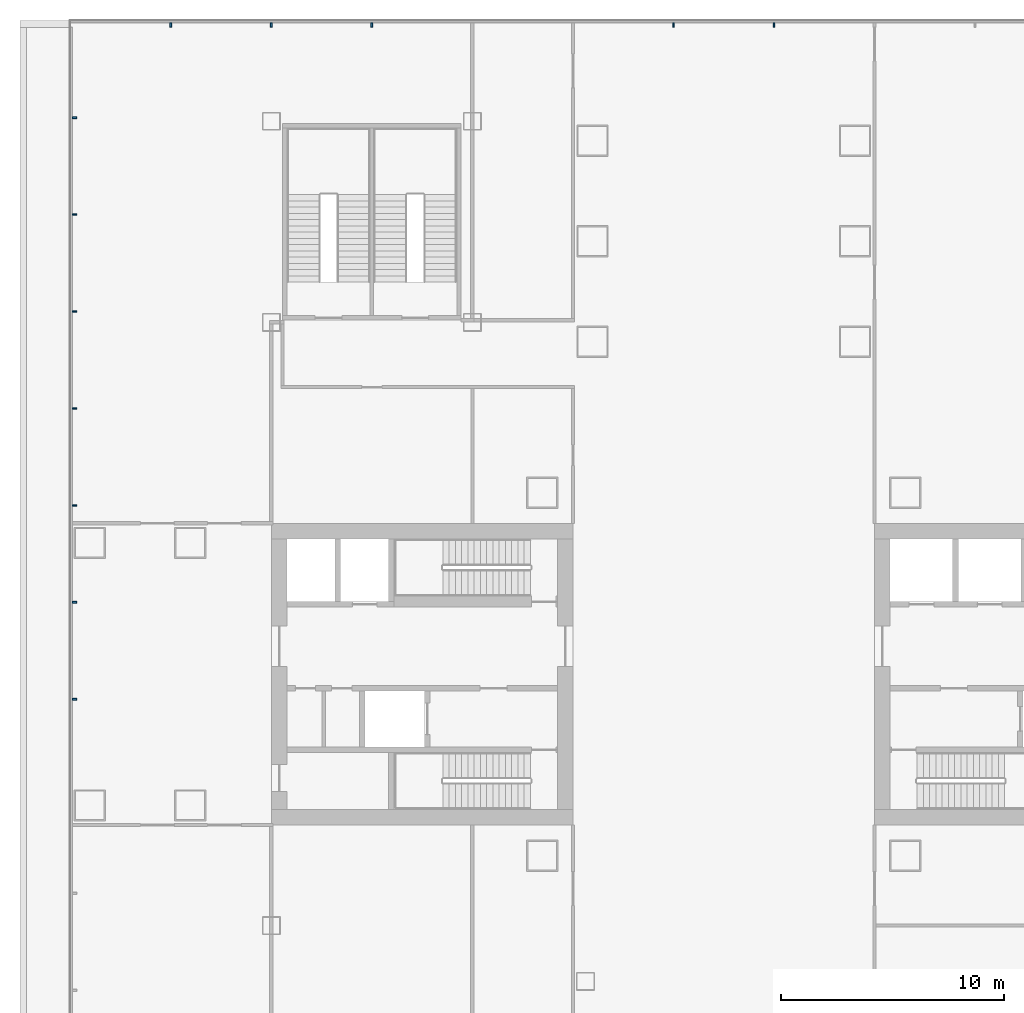
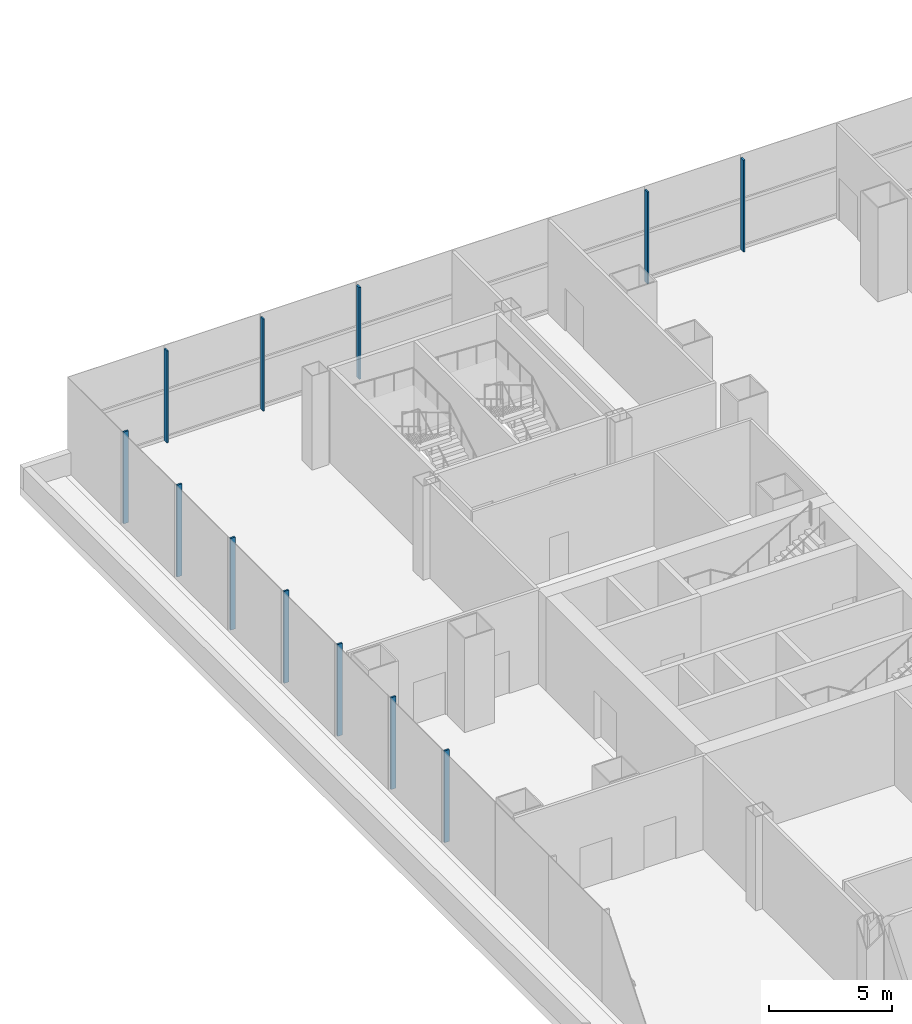
# One storey, part 6 of 30: 12 members, 2 elements without a shape of their own.
"""IFC4 building model written with IfcOpenShell, lengths in metres."""

from ifc_helpers import new_model, si_unit, direction, frame, origin, origin_2d, place, context, subcontext, project, spatial, rectangle, extrude, material, layer, layer_set, material_profile, profile_set, type_object, element, aggregate, save


model = new_model("IFC4")

# Units and contexts
model_context = context("Model", 3, precision=1e-05, world=origin(), true_north=direction((0.0, 1.0)))
body_context = subcontext(model_context, "Body", "Model", "MODEL_VIEW")
ifc_project = project(units=[si_unit("LENGTHUNIT", "METRE"), si_unit("AREAUNIT", "SQUARE_METRE"), si_unit("VOLUMEUNIT", "CUBIC_METRE"), si_unit("PLANEANGLEUNIT", "RADIAN"), si_unit("MASSUNIT", "GRAM", prefix="KILO")], contexts=[model_context])

# Site, building, storey
site_placement = place(None, origin())
site = spatial("IfcSite", under=ifc_project, at=site_placement, CompositionType="ELEMENT")
building_placement = place(site_placement, origin())
building = spatial("IfcBuilding", under=site, at=building_placement, Name="Shamsa Quay Exchange Towers", CompositionType="ELEMENT")
storey_placement = place(building_placement, frame((0.0, 0.0, 23.5)))
storey = spatial("IfcBuildingStorey", under=building, at=storey_placement, Name="L04", CompositionType="ELEMENT", Elevation=23.5)

# Curtain wall, members
ifc_material = material(Name="Aluminium EN AW-6063 T6, black anodised", Category="aluminium")
ifc_layer = layer(ifc_material, 0.33203125)
ifc_layer_set = layer_set([ifc_layer], Name="CW-3 PODIUM SHOPFRONT GLAZING")
curtain_wall_type = type_object("IfcCurtainWallType", Name="CW-3 PODIUM SHOPFRONT GLAZING", PredefinedType="NOTDEFINED", material=ifc_layer_set)
curtain_wall_1_placement = place(storey_placement, origin())
curtain_wall_1 = element("IfcCurtainWall", 1, at=curtain_wall_1_placement, inside=storey, type_object=curtain_wall_type, Name="CW3 PODIUM-L04-F01", PredefinedType="NOTDEFINED")
ifc_material_profile = material_profile(ifc_material, rectangle(XDim=0.219970703125, YDim=0.080078125, at=origin_2d()), Name="MU80x220")
ifc_profile_set = profile_set([ifc_material_profile], Name="Aluminium EN AW-6063 T6, black anodised")
member_type = type_object("IfcMemberType", Name="CW3 MULLION 80x220", PredefinedType="MULLION", material=ifc_profile_set)
member_1_placement = place(storey_placement, frame((-31.5, 29.06005859375, 0.0), z_axis=(0.0, 0.0, 1.0), x_axis=(0.0, -1.0, 0.0)))
member_1 = element("IfcMember", 2, at=member_1_placement, type_object=member_type, Name="CW3 mullion", PredefinedType="MULLION", context=body_context, shape_type="SweptSolid", body=[
    extrude(rectangle(XDim=0.219970703125, YDim=0.080078125, at=origin_2d()), origin(), (0.0, 0.0, 1.0), 4.550048828125),
])
member_2_placement = place(storey_placement, frame((-36.0, 29.06005859375, 0.0), z_axis=(0.0, 0.0, 1.0), x_axis=(0.0, -1.0, 0.0)))
member_2 = element("IfcMember", 3, at=member_2_placement, type_object=member_type, Name="CW3 mullion", PredefinedType="MULLION", context=body_context, shape_type="SweptSolid", body=[
    extrude(rectangle(XDim=0.219970703125, YDim=0.080078125, at=origin_2d()), origin(), (0.0, 0.0, 1.0), 4.550048828125),
])
member_3_placement = place(storey_placement, frame((-49.5, 29.06005859375, 0.0), z_axis=(0.0, 0.0, 1.0), x_axis=(0.0, -1.0, 0.0)))
member_3 = element("IfcMember", 4, at=member_3_placement, type_object=member_type, Name="CW3 mullion", PredefinedType="MULLION", context=body_context, shape_type="SweptSolid", body=[
    extrude(rectangle(XDim=0.219970703125, YDim=0.080078125, at=origin_2d()), origin(), (0.0, 0.0, 1.0), 4.550048828125),
])
member_4_placement = place(storey_placement, frame((-54.0, 29.06005859375, 0.0), z_axis=(0.0, 0.0, 1.0), x_axis=(0.0, -1.0, 0.0)))
member_4 = element("IfcMember", 5, at=member_4_placement, type_object=member_type, Name="CW3 mullion", PredefinedType="MULLION", context=body_context, shape_type="SweptSolid", body=[
    extrude(rectangle(XDim=0.219970703125, YDim=0.080078125, at=origin_2d()), origin(), (0.0, 0.0, 1.0), 4.550048828125),
])
member_5_placement = place(storey_placement, frame((-58.5, 29.06005859375, 0.0), z_axis=(0.0, 0.0, 1.0), x_axis=(0.0, -1.0, 0.0)))
member_5 = element("IfcMember", 6, at=member_5_placement, type_object=member_type, Name="CW3 mullion", PredefinedType="MULLION", context=body_context, shape_type="SweptSolid", body=[
    extrude(rectangle(XDim=0.219970703125, YDim=0.080078125, at=origin_2d()), origin(), (0.0, 0.0, 1.0), 4.550048828125),
])
aggregate(curtain_wall_1, [member_1, member_2, member_3, member_4, member_5])

curtain_wall_2_placement = place(storey_placement, origin())
curtain_wall_2 = element("IfcCurtainWall", 7, at=curtain_wall_2_placement, inside=storey, type_object=curtain_wall_type, Name="CW3 PODIUM-L04-F02", PredefinedType="NOTDEFINED")
member_6_placement = place(storey_placement, frame((-62.81005859375, 24.91064453125, 0.0)))
member_6 = element("IfcMember", 8, at=member_6_placement, type_object=member_type, Name="CW3 mullion", PredefinedType="MULLION", context=body_context, shape_type="SweptSolid", body=[
    extrude(rectangle(XDim=0.219970703125, YDim=0.080078125, at=origin_2d()), origin(), (0.0, 0.0, 1.0), 4.550048828125),
])
member_7_placement = place(storey_placement, frame((-62.81005859375, 20.571533203125, 0.0)))
member_7 = element("IfcMember", 9, at=member_7_placement, type_object=member_type, Name="CW3 mullion", PredefinedType="MULLION", context=body_context, shape_type="SweptSolid", body=[
    extrude(rectangle(XDim=0.219970703125, YDim=0.080078125, at=origin_2d()), origin(), (0.0, 0.0, 1.0), 4.550048828125),
])
member_8_placement = place(storey_placement, frame((-62.81005859375, 16.232177734375, 0.0)))
member_8 = element("IfcMember", 10, at=member_8_placement, type_object=member_type, Name="CW3 mullion", PredefinedType="MULLION", context=body_context, shape_type="SweptSolid", body=[
    extrude(rectangle(XDim=0.219970703125, YDim=0.080078125, at=origin_2d()), origin(), (0.0, 0.0, 1.0), 4.550048828125),
])
member_9_placement = place(storey_placement, frame((-62.81005859375, 11.892822265625, 0.0)))
member_9 = element("IfcMember", 11, at=member_9_placement, type_object=member_type, Name="CW3 mullion", PredefinedType="MULLION", context=body_context, shape_type="SweptSolid", body=[
    extrude(rectangle(XDim=0.219970703125, YDim=0.080078125, at=origin_2d()), origin(), (0.0, 0.0, 1.0), 4.550048828125),
])
member_10_placement = place(storey_placement, frame((-62.81005859375, 7.553466796875, 0.0)))
member_10 = element("IfcMember", 12, at=member_10_placement, type_object=member_type, Name="CW3 mullion", PredefinedType="MULLION", context=body_context, shape_type="SweptSolid", body=[
    extrude(rectangle(XDim=0.219970703125, YDim=0.080078125, at=origin_2d()), origin(), (0.0, 0.0, 1.0), 4.550048828125),
])
member_11_placement = place(storey_placement, frame((-62.81005859375, 3.21435546875, 0.0)))
member_11 = element("IfcMember", 13, at=member_11_placement, type_object=member_type, Name="CW3 mullion", PredefinedType="MULLION", context=body_context, shape_type="SweptSolid", body=[
    extrude(rectangle(XDim=0.219970703125, YDim=0.080078125, at=origin_2d()), origin(), (0.0, 0.0, 1.0), 4.550048828125),
])
member_12_placement = place(storey_placement, frame((-62.81005859375, -1.125, 0.0)))
member_12 = element("IfcMember", 14, at=member_12_placement, type_object=member_type, Name="CW3 mullion", PredefinedType="MULLION", context=body_context, shape_type="SweptSolid", body=[
    extrude(rectangle(XDim=0.219970703125, YDim=0.080078125, at=origin_2d()), origin(), (0.0, 0.0, 1.0), 4.550048828125),
])
aggregate(curtain_wall_2, [member_6, member_7, member_8, member_9, member_10, member_11, member_12])

save(model, "model.ifc")
